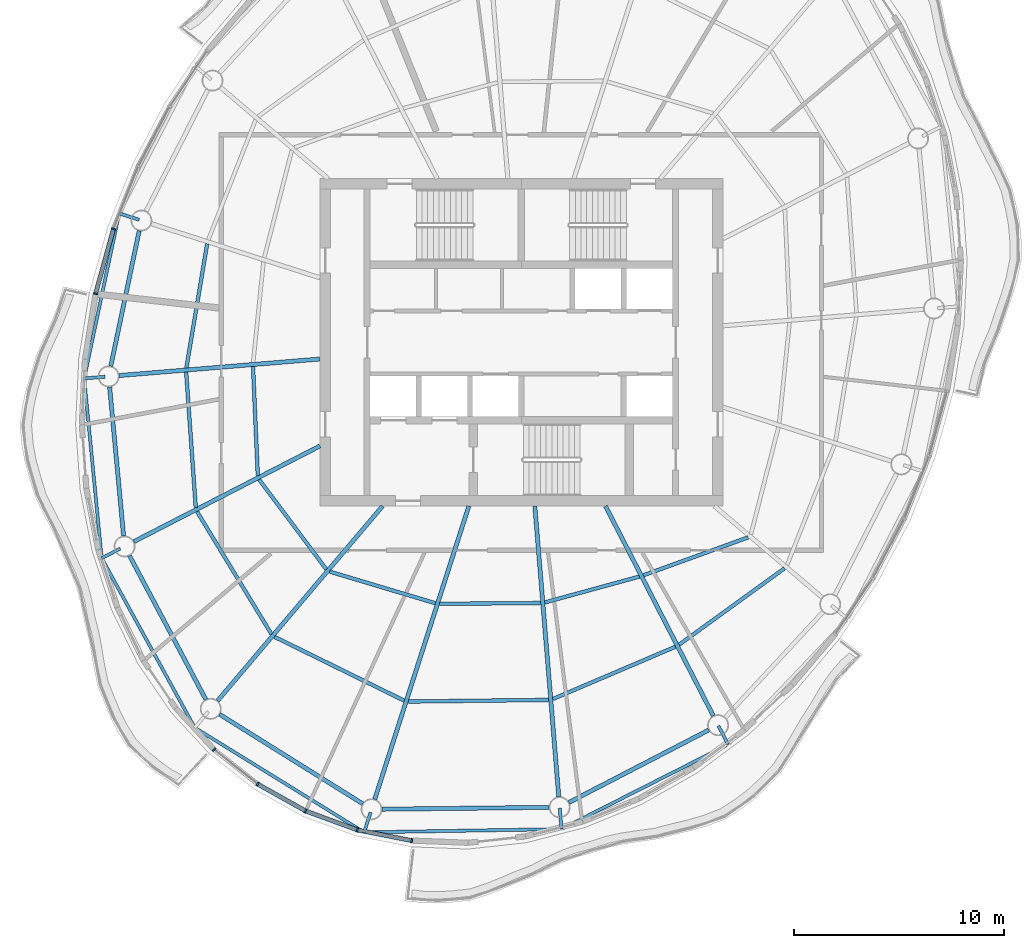
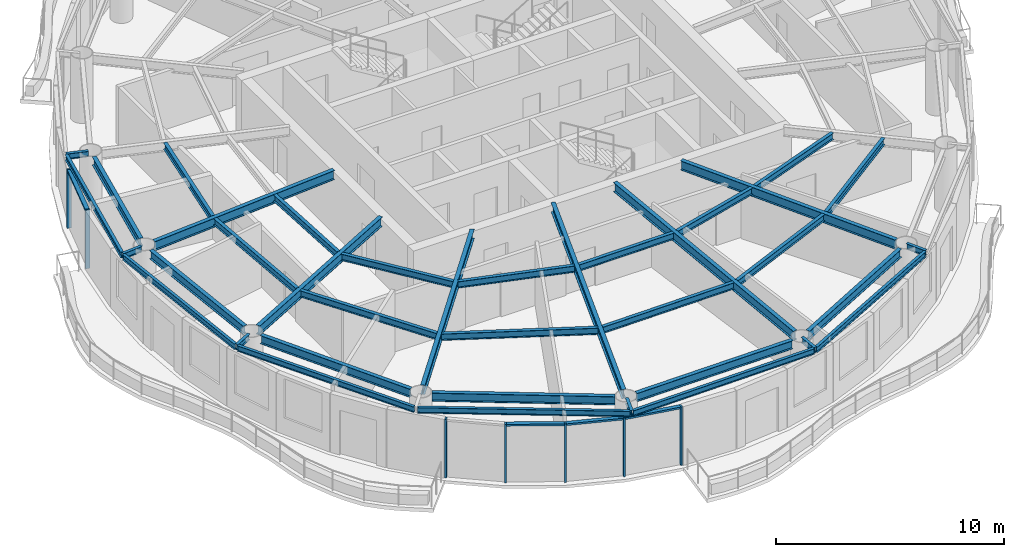
# One storey, part 2 of 13: 37 beams, 11 members, 5 elements without a shape of their own.
"""IFC4 building model written with IfcOpenShell, lengths in metres."""

from ifc_helpers import new_model, si_unit, direction, frame, origin, origin_2d, place, context, subcontext, project, spatial, rectangle, i_section, extrude, material, material_profile, profile_set, type_object, element, aggregate, save


model = new_model("IFC4")

# Units and contexts
model_context = context("Model", 3, precision=1e-05, world=origin(), true_north=direction((0.0, 1.0)))
body_context = subcontext(model_context, "Body", "Model", "MODEL_VIEW")
ifc_project = project(units=[si_unit("LENGTHUNIT", "METRE"), si_unit("AREAUNIT", "SQUARE_METRE"), si_unit("VOLUMEUNIT", "CUBIC_METRE"), si_unit("PLANEANGLEUNIT", "RADIAN"), si_unit("MASSUNIT", "GRAM", prefix="KILO")], contexts=[model_context])

# Site, building, storey
site_placement = place(None, origin())
site = spatial("IfcSite", under=ifc_project, at=site_placement, CompositionType="ELEMENT")
building_placement = place(site_placement, origin())
building = spatial("IfcBuilding", under=site, at=building_placement, Name="Vermilion Reach Broadcast Tower", CompositionType="ELEMENT")
storey_placement = place(building_placement, frame((0.0, 0.0, 293.699951171875)))
storey = spatial("IfcBuildingStorey", under=building, at=storey_placement, Name="L73", CompositionType="ELEMENT", Elevation=293.699951171875)

# Beams
ifc_material_1 = material(Name="Steel S355J2", Category="steel")
ifc_material_profile_1 = material_profile(ifc_material_1, i_section(OverallWidth=0.14990234375, OverallDepth=0.300048828125, WebThickness=0.006591796875, FlangeThickness=0.009033203125, at=origin_2d()), Name="S355J2 HN 300x150x6.5x9")
ifc_profile_set_1 = profile_set([ifc_material_profile_1], Name="Steel S355J2")
beam_type_1 = type_object("IfcBeamType", Name="EB5 HN 300x150x6.5x9", PredefinedType="BEAM", material=ifc_profile_set_1)
beam_1_placement = place(storey_placement, frame((-25.1806640625, 6.07568359375, 3.300048828125), z_axis=(-0.207283374219, -0.97828094266, 0.0), x_axis=(0.97828094266, -0.207283374219, 0.0)))
element("IfcBeam", 1, at=beam_1_placement, inside=storey, type_object=beam_type_1, Name="Edge beam EB5-05", PredefinedType="BEAM", context=body_context, shape_type="SweptSolid", body=[
    extrude(i_section(OverallWidth=0.14990234375, OverallDepth=0.300048828125, WebThickness=0.006591796875, FlangeThickness=0.009033203125, at=origin_2d()), origin(), (0.0, 0.0, 1.0), 7.88671875),
])
beam_2_placement = place(storey_placement, frame((-26.82421875, -1.791015625, 3.300048828125), z_axis=(0.096963145497, -0.995287972607, 0.0), x_axis=(0.995287972607, 0.096963145497, 0.0)))
element("IfcBeam", 2, at=beam_2_placement, inside=storey, type_object=beam_type_1, Name="Edge beam EB5-06", PredefinedType="BEAM", context=body_context, shape_type="SweptSolid", body=[
    extrude(i_section(OverallWidth=0.14990234375, OverallDepth=0.300048828125, WebThickness=0.006591796875, FlangeThickness=0.009033203125, at=origin_2d()), origin(), (0.0, 0.0, 1.0), 8.449951171875),
])
beam_3_placement = place(storey_placement, frame((-25.9609375, -10.34716796875, 3.300048828125), z_axis=(0.481307136506, -0.87655201805, 0.0), x_axis=(0.87655201805, 0.481307136506, 0.0)))
element("IfcBeam", 3, at=beam_3_placement, inside=storey, type_object=beam_type_1, Name="Edge beam EB5-07", PredefinedType="BEAM", context=body_context, shape_type="SweptSolid", body=[
    extrude(i_section(OverallWidth=0.14990234375, OverallDepth=0.300048828125, WebThickness=0.006591796875, FlangeThickness=0.009033203125, at=origin_2d()), origin(), (0.0, 0.0, 1.0), 9.057861328125),
])
beam_4_placement = place(storey_placement, frame((-21.498046875, -18.397216796875, 3.300048828125), z_axis=(0.850697910061, -0.525654892318, 0.0), x_axis=(0.525654892318, 0.850697910061, 0.0)))
element("IfcBeam", 4, at=beam_4_placement, inside=storey, type_object=beam_type_1, Name="Edge beam EB5-08", PredefinedType="BEAM", context=body_context, shape_type="SweptSolid", body=[
    extrude(i_section(OverallWidth=0.14990234375, OverallDepth=0.300048828125, WebThickness=0.006591796875, FlangeThickness=0.009033203125, at=origin_2d()), origin(), (0.0, 0.0, 1.0), 9.33544921875),
])
beam_5_placement = place(storey_placement, frame((-13.41162109375, -23.34375, 3.300048828125), z_axis=(0.999865186083, 0.016419794745, 0.0), x_axis=(-0.016419794745, 0.999865186083, 0.0)))
element("IfcBeam", 5, at=beam_5_placement, inside=storey, type_object=beam_type_1, Name="Edge beam EB5-09", PredefinedType="BEAM", context=body_context, shape_type="SweptSolid", body=[
    extrude(i_section(OverallWidth=0.14990234375, OverallDepth=0.300048828125, WebThickness=0.006591796875, FlangeThickness=0.009033203125, at=origin_2d()), origin(), (0.0, 0.0, 1.0), 9.248291015625),
])
beam_6_placement = place(storey_placement, frame((-4.01708984375, -23.154052734375, 3.300048828125), z_axis=(0.891743525045, 0.452541142373, 0.0), x_axis=(-0.452541142373, 0.891743525045, 0.0)))
element("IfcBeam", 6, at=beam_6_placement, inside=storey, type_object=beam_type_1, Name="Edge beam EB5-10", PredefinedType="BEAM", context=body_context, shape_type="SweptSolid", body=[
    extrude(i_section(OverallWidth=0.14990234375, OverallDepth=0.300048828125, WebThickness=0.006591796875, FlangeThickness=0.009033203125, at=origin_2d()), origin(), (0.0, 0.0, 1.0), 8.748779296875),
])
ifc_material_2 = material(Name="Steel S355J2", Category="steel")
ifc_material_profile_2 = material_profile(ifc_material_2, i_section(OverallWidth=0.199951171875, OverallDepth=0.5, WebThickness=0.010009765625, FlangeThickness=0.01611328125, at=origin_2d()), Name="S355J2 HN 500x200x10x16")
ifc_profile_set_2 = profile_set([ifc_material_profile_2], Name="Steel S355J2")
beam_type_2 = type_object("IfcBeamType", Name="G5 HN 500x200x10x16", PredefinedType="BEAM", material=ifc_profile_set_2)
beam_7_placement = place(storey_placement, frame((-15.60009765625, -0.791015625, 3.199951171875), z_axis=(-0.996624410075, -0.082096195058, 0.0), x_axis=(0.082096195058, -0.996624410075, 0.0)))
element("IfcBeam", 7, at=beam_7_placement, inside=storey, type_object=beam_type_2, Name="Girder G5-06", PredefinedType="BEAM", context=body_context, shape_type="SweptSolid", body=[
    extrude(i_section(OverallWidth=0.199951171875, OverallDepth=0.5, WebThickness=0.010009765625, FlangeThickness=0.01611328125, at=origin_2d()), origin(), (0.0, 0.0, 1.0), 9.599609375),
])
beam_8_placement = place(storey_placement, frame((-15.60009765625, -4.935791015625, 3.199951171875), z_axis=(-0.889332502449, -0.457261085254, 0.0), x_axis=(0.457261085254, -0.889332502449, 0.0)))
element("IfcBeam", 8, at=beam_8_placement, inside=storey, type_object=beam_type_2, Name="Girder G5-07", PredefinedType="BEAM", context=body_context, shape_type="SweptSolid", body=[
    extrude(i_section(OverallWidth=0.199951171875, OverallDepth=0.5, WebThickness=0.010009765625, FlangeThickness=0.01611328125, at=origin_2d()), origin(), (0.0, 0.0, 1.0), 9.96337890625),
])
beam_9_placement = place(storey_placement, frame((-12.612548828125, -7.800048828125, 3.199951171875), z_axis=(-0.646658335602, -0.762779782766, 0.0), x_axis=(0.762779782766, -0.646658335602, 0.0)))
element("IfcBeam", 9, at=beam_9_placement, inside=storey, type_object=beam_type_2, Name="Girder G5-08", PredefinedType="BEAM", context=body_context, shape_type="SweptSolid", body=[
    extrude(i_section(OverallWidth=0.199951171875, OverallDepth=0.5, WebThickness=0.010009765625, FlangeThickness=0.01611328125, at=origin_2d()), origin(), (0.0, 0.0, 1.0), 12.16064453125),
])
beam_10_placement = place(storey_placement, frame((-8.502685546875, -7.800048828125, 3.199951171875), z_axis=(-0.305545401295, -0.952177508528, 0.0), x_axis=(0.952177508528, -0.305545401295, 0.0)))
element("IfcBeam", 10, at=beam_10_placement, inside=storey, type_object=beam_type_2, Name="Girder G5-09", PredefinedType="BEAM", context=body_context, shape_type="SweptSolid", body=[
    extrude(i_section(OverallWidth=0.199951171875, OverallDepth=0.5, WebThickness=0.010009765625, FlangeThickness=0.01611328125, at=origin_2d()), origin(), (0.0, 0.0, 1.0), 14.672607421875),
])
beam_11_placement = place(storey_placement, frame((-5.357421875, -7.800048828125, 3.199951171875), z_axis=(0.082123744247, -0.996622140347, 0.0), x_axis=(0.996622140347, 0.082123744247, 0.0)))
element("IfcBeam", 11, at=beam_11_placement, inside=storey, type_object=beam_type_2, Name="Girder G5-10", PredefinedType="BEAM", context=body_context, shape_type="SweptSolid", body=[
    extrude(i_section(OverallWidth=0.199951171875, OverallDepth=0.5, WebThickness=0.010009765625, FlangeThickness=0.01611328125, at=origin_2d()), origin(), (0.0, 0.0, 1.0), 13.89794921875),
])
beam_12_placement = place(storey_placement, frame((-1.989501953125, -7.800048828125, 3.199951171875), z_axis=(0.457258168112, -0.889334002327, 0.0), x_axis=(0.889334002327, 0.457258168112, 0.0)))
element("IfcBeam", 12, at=beam_12_placement, inside=storey, type_object=beam_type_2, Name="Girder G5-11", PredefinedType="BEAM", context=body_context, shape_type="SweptSolid", body=[
    extrude(i_section(OverallWidth=0.199951171875, OverallDepth=0.5, WebThickness=0.010009765625, FlangeThickness=0.01611328125, at=origin_2d()), origin(), (0.0, 0.0, 1.0), 11.236328125),
])
ifc_material_3 = material(Name="Steel S355J2", Category="steel")
ifc_material_profile_3 = material_profile(ifc_material_3, i_section(OverallWidth=0.14990234375, OverallDepth=0.300048828125, WebThickness=0.006591796875, FlangeThickness=0.009033203125, at=origin_2d()), Name="S355J2 HN 300x150x6.5x9")
ifc_profile_set_3 = profile_set([ifc_material_profile_3], Name="Steel S355J2")
beam_type_3 = type_object("IfcBeamType", Name="GS5 HN 300x150x6.5x9", PredefinedType="BEAM", material=ifc_profile_set_3)
for number, where, z_axis, x_axis, name in (
    (13, (-24.212890625, 5.843994140625, 3.300048828125), (-0.952211297084, 0.305440085295, 0.0), (-0.305440085295, -0.952211297084, 0.0), "Cantilever stub GS5-05"),
    (14, (-25.8349609375, -1.63427734375, 3.300048828125), (-0.996629436565, -0.082035152054, 0.0), (0.082035152054, -0.996629436565, 0.0), "Cantilever stub GS5-06"),
    (15, (-25.107666015625, -9.82421875, 3.300048828125), (-0.889341695572, -0.457243204998, 0.0), (0.457243204998, -0.889341695572, 0.0), "Cantilever stub GS5-07"),
    (16, (-13.185302734375, -22.392822265625, 3.300048828125), (-0.305440085295, -0.952211297084, 0.0), (0.952211297084, -0.305440085295, 0.0), "Cantilever stub GS5-09"),
    (17, (-4.17138671875, -22.194091796875, 3.300048828125), (0.082035152054, -0.996629436565, 0.0), (0.996629436565, 0.082035152054, 0.0), "Cantilever stub GS5-10"),
    (18, (3.394287109375, -18.271484375, 3.300048828125), (0.457243204998, -0.889341695572, 0.0), (0.889341695572, 0.457243204998, 0.0), "Cantilever stub GS5-11"),
):
    element("IfcBeam", number, at=place(storey_placement, frame(where, z_axis=z_axis, x_axis=x_axis)), inside=storey, type_object=beam_type_3, Name=name, PredefinedType="BEAM", context=body_context, shape_type="SweptSolid", body=[
        extrude(i_section(OverallWidth=0.14990234375, OverallDepth=0.300048828125, WebThickness=0.006591796875, FlangeThickness=0.009033203125, at=origin_2d()), origin(), (0.0, 0.0, 1.0), 1.0),
    ])
ifc_material_4 = material(Name="Steel S355J2", Category="steel")
ifc_material_profile_4 = material_profile(ifc_material_4, i_section(OverallWidth=0.199951171875, OverallDepth=0.449951171875, WebThickness=0.009033203125, FlangeThickness=0.013916015625, at=origin_2d()), Name="S355J2 HN 450x200x9x14")
ifc_profile_set_4 = profile_set([ifc_material_profile_4], Name="Steel S355J2")
beam_type_4 = type_object("IfcBeamType", Name="RB5 HN 450x200x9x14", PredefinedType="BEAM", material=ifc_profile_set_4)
beam_13_placement = place(storey_placement, frame((-24.208740234375, 5.3203125, 3.22509765625), z_axis=(-0.205444869285, -0.978668690459, 0.0), x_axis=(0.978668690459, -0.205444869285, 0.0)))
element("IfcBeam", 19, at=beam_13_placement, inside=storey, type_object=beam_type_4, Name="Ring beam RB5-05", PredefinedType="BEAM", context=body_context, shape_type="SweptSolid", body=[
    extrude(i_section(OverallWidth=0.199951171875, OverallDepth=0.449951171875, WebThickness=0.009033203125, FlangeThickness=0.013916015625, at=origin_2d()), origin(), (0.0, 0.0, 1.0), 6.591796875),
])
beam_14_placement = place(storey_placement, frame((-25.618896484375, -2.1181640625, 3.22509765625), z_axis=(0.093441399272, -0.995624781181, 0.0), x_axis=(0.995624781181, 0.093441399272, 0.0)))
element("IfcBeam", 20, at=beam_14_placement, inside=storey, type_object=beam_type_4, Name="Ring beam RB5-06", PredefinedType="BEAM", context=body_context, shape_type="SweptSolid", body=[
    extrude(i_section(OverallWidth=0.199951171875, OverallDepth=0.449951171875, WebThickness=0.009033203125, FlangeThickness=0.013916015625, at=origin_2d()), origin(), (0.0, 0.0, 1.0), 7.135498046875),
])
beam_15_placement = place(storey_placement, frame((-24.671142578125, -10.161865234375, 3.22509765625), z_axis=(0.468767917375, -0.883321368269, 0.0), x_axis=(0.883321368269, 0.468767917375, 0.0)))
element("IfcBeam", 21, at=beam_15_placement, inside=storey, type_object=beam_type_4, Name="Ring beam RB5-07", PredefinedType="BEAM", context=body_context, shape_type="SweptSolid", body=[
    extrude(i_section(OverallWidth=0.199951171875, OverallDepth=0.449951171875, WebThickness=0.009033203125, FlangeThickness=0.013916015625, at=origin_2d()), origin(), (0.0, 0.0, 1.0), 7.759033203125),
])
beam_16_placement = place(storey_placement, frame((-20.375732421875, -17.722412109375, 3.22509765625), z_axis=(0.847914653245, -0.530132757724, 0.0), x_axis=(0.530132757724, 0.847914653245, 0.0)))
element("IfcBeam", 22, at=beam_16_placement, inside=storey, type_object=beam_type_4, Name="Ring beam RB5-08", PredefinedType="BEAM", context=body_context, shape_type="SweptSolid", body=[
    extrude(i_section(OverallWidth=0.199951171875, OverallDepth=0.449951171875, WebThickness=0.009033203125, FlangeThickness=0.013916015625, at=origin_2d()), origin(), (0.0, 0.0, 1.0), 8.035400390625),
])
beam_17_placement = place(storey_placement, frame((-12.638427734375, -22.24169921875, 3.22509765625), z_axis=(0.999940445231, 0.010913569149, 0.0), x_axis=(-0.010913569149, 0.999940445231, 0.0)))
element("IfcBeam", 23, at=beam_17_placement, inside=storey, type_object=beam_type_4, Name="Ring beam RB5-09", PredefinedType="BEAM", context=body_context, shape_type="SweptSolid", body=[
    extrude(i_section(OverallWidth=0.199951171875, OverallDepth=0.449951171875, WebThickness=0.009033203125, FlangeThickness=0.013916015625, at=origin_2d()), origin(), (0.0, 0.0, 1.0), 7.9638671875),
])
beam_18_placement = place(storey_placement, frame((-3.731201171875, -21.91943359375, 3.22509765625), z_axis=(0.887960248279, 0.459920207729, 0.0), x_axis=(-0.459920207729, 0.887960248279, 0.0)))
element("IfcBeam", 24, at=beam_18_placement, inside=storey, type_object=beam_type_4, Name="Ring beam RB5-10", PredefinedType="BEAM", context=body_context, shape_type="SweptSolid", body=[
    extrude(i_section(OverallWidth=0.199951171875, OverallDepth=0.449951171875, WebThickness=0.009033203125, FlangeThickness=0.013916015625, at=origin_2d()), origin(), (0.0, 0.0, 1.0), 7.5048828125),
])
ifc_material_5 = material(Name="Steel S355J2", Category="steel")
ifc_material_profile_5 = material_profile(ifc_material_5, i_section(OverallWidth=0.175048828125, OverallDepth=0.35009765625, WebThickness=0.007080078125, FlangeThickness=0.010986328125, at=origin_2d()), Name="S355J2 HN 350x175x7x11")
ifc_profile_set_5 = profile_set([ifc_material_profile_5], Name="Steel S355J2")
beam_type_5 = type_object("IfcBeamType", Name="SB5 HN 350x175x7x11", PredefinedType="BEAM", material=ifc_profile_set_5)
beam_19_placement = place(storey_placement, frame((-20.969970703125, 4.698486328125, 3.275146484375), z_axis=(-0.16532337011, -0.986239414795, 0.0), x_axis=(0.986239414795, -0.16532337011, 0.0)))
element("IfcBeam", 25, at=beam_19_placement, inside=storey, type_object=beam_type_5, Name="Secondary beam SB5-05-2", PredefinedType="BEAM", context=body_context, shape_type="SweptSolid", body=[
    extrude(i_section(OverallWidth=0.175048828125, OverallDepth=0.35009765625, WebThickness=0.007080078125, FlangeThickness=0.010986328125, at=origin_2d()), origin(), (0.0, 0.0, 1.0), 5.99560546875),
])
beam_20_placement = place(storey_placement, frame((-18.78466796875, -1.153564453125, 3.275146484375), z_axis=(0.043557530017, -0.999050920413, 0.0), x_axis=(0.999050920413, 0.043557530017, 0.0)))
element("IfcBeam", 26, at=beam_20_placement, inside=storey, type_object=beam_type_5, Name="Secondary beam SB5-06-1", PredefinedType="BEAM", context=body_context, shape_type="SweptSolid", body=[
    extrude(i_section(OverallWidth=0.175048828125, OverallDepth=0.35009765625, WebThickness=0.007080078125, FlangeThickness=0.010986328125, at=origin_2d()), origin(), (0.0, 0.0, 1.0), 5.19580078125),
])
beam_21_placement = place(storey_placement, frame((-21.97119140625, -1.416259765625, 3.275146484375), z_axis=(0.070586780458, -0.997505642302, 0.0), x_axis=(0.997505642302, 0.070586780458, 0.0)))
element("IfcBeam", 27, at=beam_21_placement, inside=storey, type_object=beam_type_5, Name="Secondary beam SB5-06-2", PredefinedType="BEAM", context=body_context, shape_type="SweptSolid", body=[
    extrude(i_section(OverallWidth=0.175048828125, OverallDepth=0.35009765625, WebThickness=0.007080078125, FlangeThickness=0.010986328125, at=origin_2d()), origin(), (0.0, 0.0, 1.0), 6.46435546875),
])
beam_22_placement = place(storey_placement, frame((-18.492919921875, -6.53564453125, 3.275146484375), z_axis=(0.599055582645, -0.800707442767, 0.0), x_axis=(0.800707442767, 0.599055582645, 0.0)))
element("IfcBeam", 28, at=beam_22_placement, inside=storey, type_object=beam_type_5, Name="Secondary beam SB5-07-1", PredefinedType="BEAM", context=body_context, shape_type="SweptSolid", body=[
    extrude(i_section(OverallWidth=0.175048828125, OverallDepth=0.35009765625, WebThickness=0.007080078125, FlangeThickness=0.010986328125, at=origin_2d()), origin(), (0.0, 0.0, 1.0), 5.337890625),
])
beam_23_placement = place(storey_placement, frame((-21.455078125, -8.058837890625, 3.275146484375), z_axis=(0.519272962556, -0.854608442714, 0.0), x_axis=(0.854608442714, 0.519272962556, 0.0)))
element("IfcBeam", 29, at=beam_23_placement, inside=storey, type_object=beam_type_5, Name="Secondary beam SB5-07-2", PredefinedType="BEAM", context=body_context, shape_type="SweptSolid", body=[
    extrude(i_section(OverallWidth=0.175048828125, OverallDepth=0.35009765625, WebThickness=0.007080078125, FlangeThickness=0.010986328125, at=origin_2d()), origin(), (0.0, 0.0, 1.0), 6.82763671875),
])
beam_24_placement = place(storey_placement, frame((-15.129150390625, -10.92333984375, 3.275146484375), z_axis=(0.958124906971, -0.286350593925, 0.0), x_axis=(0.286350593925, 0.958124906971, 0.0)))
element("IfcBeam", 30, at=beam_24_placement, inside=storey, type_object=beam_type_5, Name="Secondary beam SB5-08-1", PredefinedType="BEAM", context=body_context, shape_type="SweptSolid", body=[
    extrude(i_section(OverallWidth=0.175048828125, OverallDepth=0.35009765625, WebThickness=0.007080078125, FlangeThickness=0.010986328125, at=origin_2d()), origin(), (0.0, 0.0, 1.0), 5.25634765625),
])
beam_25_placement = place(storey_placement, frame((-17.762451171875, -14.029541015625, 3.275146484375), z_axis=(0.897335928087, -0.441348198325, 0.0), x_axis=(0.441348198325, 0.897335928087, 0.0)))
element("IfcBeam", 31, at=beam_25_placement, inside=storey, type_object=beam_type_5, Name="Secondary beam SB5-08-2", PredefinedType="BEAM", context=body_context, shape_type="SweptSolid", body=[
    extrude(i_section(OverallWidth=0.175048828125, OverallDepth=0.35009765625, WebThickness=0.007080078125, FlangeThickness=0.010986328125, at=origin_2d()), origin(), (0.0, 0.0, 1.0), 6.887451171875),
])
beam_26_placement = place(storey_placement, frame((-9.891845703125, -12.4560546875, 3.275146484375), z_axis=(0.999968312294, 0.007960804474, 0.0), x_axis=(-0.007960804474, 0.999968312294, 0.0)))
element("IfcBeam", 32, at=beam_26_placement, inside=storey, type_object=beam_type_5, Name="Secondary beam SB5-09-1", PredefinedType="BEAM", context=body_context, shape_type="SweptSolid", body=[
    extrude(i_section(OverallWidth=0.175048828125, OverallDepth=0.35009765625, WebThickness=0.007080078125, FlangeThickness=0.010986328125, at=origin_2d()), origin(), (0.0, 0.0, 1.0), 4.81494140625),
])
beam_27_placement = place(storey_placement, frame((-11.385986328125, -17.11279296875, 3.275146484375), z_axis=(0.999932654133, 0.011605481368, 0.0), x_axis=(-0.011605481368, 0.999932654133, 0.0)))
element("IfcBeam", 33, at=beam_27_placement, inside=storey, type_object=beam_type_5, Name="Secondary beam SB5-09-2", PredefinedType="BEAM", context=body_context, shape_type="SweptSolid", body=[
    extrude(i_section(OverallWidth=0.175048828125, OverallDepth=0.35009765625, WebThickness=0.007080078125, FlangeThickness=0.010986328125, at=origin_2d()), origin(), (0.0, 0.0, 1.0), 6.689697265625),
])
beam_28_placement = place(storey_placement, frame((-4.87890625, -12.39013671875, 3.275146484375), z_axis=(0.964547496851, 0.263909314573, 0.0), x_axis=(-0.263909314573, 0.964547496851, 0.0)))
element("IfcBeam", 34, at=beam_28_placement, inside=storey, type_object=beam_type_5, Name="Secondary beam SB5-10-1", PredefinedType="BEAM", context=body_context, shape_type="SweptSolid", body=[
    extrude(i_section(OverallWidth=0.175048828125, OverallDepth=0.35009765625, WebThickness=0.007080078125, FlangeThickness=0.010986328125, at=origin_2d()), origin(), (0.0, 0.0, 1.0), 4.6689453125),
])
beam_29_placement = place(storey_placement, frame((-4.49951171875, -16.99267578125, 3.275146484375), z_axis=(0.919880986172, 0.392197617637, 0.0), x_axis=(-0.392197617637, 0.919880986172, 0.0)))
element("IfcBeam", 35, at=beam_29_placement, inside=storey, type_object=beam_type_5, Name="Secondary beam SB5-10-2", PredefinedType="BEAM", context=body_context, shape_type="SweptSolid", body=[
    extrude(i_section(OverallWidth=0.175048828125, OverallDepth=0.35009765625, WebThickness=0.007080078125, FlangeThickness=0.010986328125, at=origin_2d()), origin(), (0.0, 0.0, 1.0), 6.351806640625),
])
beam_30_placement = place(storey_placement, frame((-0.18212890625, -11.0966796875, 3.275146484375), z_axis=(0.940220108875, 0.340567389613, 0.0), x_axis=(-0.340567389613, 0.940220108875, 0.0)))
element("IfcBeam", 36, at=beam_30_placement, inside=storey, type_object=beam_type_5, Name="Secondary beam SB5-11-1", PredefinedType="BEAM", context=body_context, shape_type="SweptSolid", body=[
    extrude(i_section(OverallWidth=0.175048828125, OverallDepth=0.35009765625, WebThickness=0.007080078125, FlangeThickness=0.010986328125, at=origin_2d()), origin(), (0.0, 0.0, 1.0), 5.303466796875),
])
beam_31_placement = place(storey_placement, frame((1.517578125, -14.402587890625, 3.275146484375), z_axis=(0.809771251518, 0.586745703192, 0.0), x_axis=(-0.586745703192, 0.809771251518, 0.0)))
element("IfcBeam", 37, at=beam_31_placement, inside=storey, type_object=beam_type_5, Name="Secondary beam SB5-11-2", PredefinedType="BEAM", context=body_context, shape_type="SweptSolid", body=[
    extrude(i_section(OverallWidth=0.175048828125, OverallDepth=0.35009765625, WebThickness=0.007080078125, FlangeThickness=0.010986328125, at=origin_2d()), origin(), (0.0, 0.0, 1.0), 6.20361328125),
])

# Curtain wall, members
ifc_material_6 = material(Name="Low-e laminated clear glass in aluminium frame", Category="aluminium")
curtain_wall_type = type_object("IfcCurtainWallType", Name="Slot curtain wall", PredefinedType="NOTDEFINED", material=ifc_material_6)
placement = place(storey_placement, origin())
curtain_wall_1 = element("IfcCurtainWall", 38, at=placement, inside=storey, type_object=curtain_wall_type, Name="Slot curtain wall L73 13", PredefinedType="NOTDEFINED")
ifc_material_7 = material(Name="Anodised aluminium", Category="aluminium")
ifc_material_profile_6 = material_profile(ifc_material_7, rectangle(XDim=0.199951171875, YDim=0.080078125, at=origin_2d()), Name="Slot mullion 80 x 200")
ifc_profile_set_6 = profile_set([ifc_material_profile_6], Name="Anodised aluminium")
member_type_1 = type_object("IfcMemberType", Name="Slot mullion 80 x 200", PredefinedType="MULLION", material=ifc_profile_set_6)
member_1_placement = place(storey_placement, frame((-25.43408203125, 5.4072265625, 0.0), z_axis=(0.0, 0.0, 1.0), x_axis=(0.948023765699, -0.318199528079, 0.0)))
member_1 = element("IfcMember", 39, at=member_1_placement, type_object=member_type_1, Name="Slot mullion L73 13", PredefinedType="MULLION", context=body_context, shape_type="SweptSolid", body=[
    extrude(rectangle(XDim=0.199951171875, YDim=0.080078125, at=origin_2d()), origin(), (0.0, 0.0, 1.0), 3.150146484375),
])
member_2_placement = place(storey_placement, frame((-26.28759765625, 2.32177734375, 0.0), z_axis=(0.0, 0.0, 1.0), x_axis=(0.976974808979, -0.213354687367, 0.0)))
member_2 = element("IfcMember", 40, at=member_2_placement, type_object=member_type_1, Name="Slot mullion L73 14", PredefinedType="MULLION", context=body_context, shape_type="SweptSolid", body=[
    extrude(rectangle(XDim=0.199951171875, YDim=0.080078125, at=origin_2d()), origin(), (0.0, 0.0, 1.0), 3.150146484375),
])

# Curtain wall, member
curtain_wall_2 = element("IfcCurtainWall", 41, at=placement, inside=storey, type_object=curtain_wall_type, Name="Slot curtain wall L73 22", PredefinedType="NOTDEFINED")
member_3_placement = place(storey_placement, frame((-20.638671875, -19.402587890625, 0.0), z_axis=(0.0, 0.0, 1.0), x_axis=(0.679358210005, 0.733806801889, 0.0)))
member_3 = element("IfcMember", 42, at=member_3_placement, type_object=member_type_1, Name="Slot mullion L73 22", PredefinedType="MULLION", context=body_context, shape_type="SweptSolid", body=[
    extrude(rectangle(XDim=0.199951171875, YDim=0.080078125, at=origin_2d()), origin(), (0.0, 0.0, 1.0), 3.150146484375),
])
aggregate(curtain_wall_2, [member_3])

curtain_wall_3 = element("IfcCurtainWall", 43, at=placement, inside=storey, type_object=curtain_wall_type, Name="Slot curtain wall L73 23", PredefinedType="NOTDEFINED")
member_4_placement = place(storey_placement, frame((-18.565185546875, -21.0439453125, 0.0), z_axis=(0.0, 0.0, 1.0), x_axis=(0.556714945931, 0.83070359875, 0.0)))
member_4 = element("IfcMember", 44, at=member_4_placement, type_object=member_type_1, Name="Slot mullion L73 23", PredefinedType="MULLION", context=body_context, shape_type="SweptSolid", body=[
    extrude(rectangle(XDim=0.199951171875, YDim=0.080078125, at=origin_2d()), origin(), (0.0, 0.0, 1.0), 3.150146484375),
])

curtain_wall_4 = element("IfcCurtainWall", 45, at=placement, inside=storey, type_object=curtain_wall_type, Name="Slot curtain wall L73 24", PredefinedType="NOTDEFINED")
member_5_placement = place(storey_placement, frame((-16.278564453125, -22.326904296875, 0.0), z_axis=(0.0, 0.0, 1.0), x_axis=(0.4181841801, 0.908362257865, 0.0)))
member_5 = element("IfcMember", 46, at=member_5_placement, type_object=member_type_1, Name="Slot mullion L73 24", PredefinedType="MULLION", context=body_context, shape_type="SweptSolid", body=[
    extrude(rectangle(XDim=0.199951171875, YDim=0.080078125, at=origin_2d()), origin(), (0.0, 0.0, 1.0), 3.150146484375),
])

# Curtain wall, members
curtain_wall_5 = element("IfcCurtainWall", 47, at=placement, inside=storey, type_object=curtain_wall_type, Name="Slot curtain wall L73 25", PredefinedType="NOTDEFINED")
member_6_placement = place(storey_placement, frame((-13.817138671875, -23.229736328125, 0.0), z_axis=(0.0, 0.0, 1.0), x_axis=(0.269106194927, 0.963110510716, 0.0)))
member_6 = element("IfcMember", 48, at=member_6_placement, type_object=member_type_1, Name="Slot mullion L73 25", PredefinedType="MULLION", context=body_context, shape_type="SweptSolid", body=[
    extrude(rectangle(XDim=0.199951171875, YDim=0.080078125, at=origin_2d()), origin(), (0.0, 0.0, 1.0), 3.150146484375),
])
member_7_placement = place(storey_placement, frame((-11.221923828125, -23.73779296875, 0.0), z_axis=(0.0, 0.0, 1.0), x_axis=(0.115743146595, 0.993279177279, 0.0)))
member_7 = element("IfcMember", 49, at=member_7_placement, type_object=member_type_1, Name="Slot mullion L73 26", PredefinedType="MULLION", context=body_context, shape_type="SweptSolid", body=[
    extrude(rectangle(XDim=0.199951171875, YDim=0.080078125, at=origin_2d()), origin(), (0.0, 0.0, 1.0), 3.150146484375),
])

# Member
ifc_material_8 = material(Name="Anodised aluminium", Category="aluminium")
ifc_material_profile_7 = material_profile(ifc_material_8, rectangle(XDim=0.199951171875, YDim=0.10009765625, at=origin_2d()), Name="Slot transom 200 x 100")
ifc_profile_set_7 = profile_set([ifc_material_profile_7], Name="Anodised aluminium")
member_type_2 = type_object("IfcMemberType", Name="Slot transom 200 x 100", PredefinedType="USERDEFINED", material=ifc_profile_set_7)
member_8_placement = place(storey_placement, frame((-25.44482421875, 5.368896484375, 3.10009765625), z_axis=(-0.266550499924, -0.963820953803, 0.0), x_axis=(0.963820953803, -0.266550499924, 0.0)))
member_8 = element("IfcMember", 50, at=member_8_placement, type_object=member_type_2, Name="Slot transom L73 13.1", ObjectType="TRANSOM", PredefinedType="USERDEFINED", context=body_context, shape_type="SweptSolid", body=[
    extrude(rectangle(XDim=0.199951171875, YDim=0.10009765625, at=origin_2d()), origin(), (0.0, 0.0, 1.0), 3.12158203125),
])

aggregate(curtain_wall_1, [member_1, member_2, member_8])

member_9_placement = place(storey_placement, frame((-18.5302734375, -21.0634765625, 3.10009765625), z_axis=(0.872129046221, -0.489275920864, 0.0), x_axis=(0.489275920864, 0.872129046221, 0.0)))
member_9 = element("IfcMember", 51, at=member_9_placement, type_object=member_type_2, Name="Slot transom L73 23.1", ObjectType="TRANSOM", PredefinedType="USERDEFINED", context=body_context, shape_type="SweptSolid", body=[
    extrude(rectangle(XDim=0.199951171875, YDim=0.10009765625, at=origin_2d()), origin(), (0.0, 0.0, 1.0), 2.541748046875),
])

aggregate(curtain_wall_3, [member_4, member_9])

member_10_placement = place(storey_placement, frame((-16.240966796875, -22.340576171875, 3.10009765625), z_axis=(0.938807998255, -0.344440912804, 0.0), x_axis=(0.344440912804, 0.938807998255, 0.0)))
member_10 = element("IfcMember", 52, at=member_10_placement, type_object=member_type_2, Name="Slot transom L73 24.1", ObjectType="TRANSOM", PredefinedType="USERDEFINED", context=body_context, shape_type="SweptSolid", body=[
    extrude(rectangle(XDim=0.199951171875, YDim=0.10009765625, at=origin_2d()), origin(), (0.0, 0.0, 1.0), 2.541748046875),
])

aggregate(curtain_wall_4, [member_5, member_10])

member_11_placement = place(storey_placement, frame((-13.778076171875, -23.237548828125, 3.10009765625), z_axis=(0.981374321824, -0.192105284842, 0.0), x_axis=(0.192105284842, 0.981374321824, 0.0)))
member_11 = element("IfcMember", 53, at=member_11_placement, type_object=member_type_2, Name="Slot transom L73 25.1", ObjectType="TRANSOM", PredefinedType="USERDEFINED", context=body_context, shape_type="SweptSolid", body=[
    extrude(rectangle(XDim=0.199951171875, YDim=0.10009765625, at=origin_2d()), origin(), (0.0, 0.0, 1.0), 2.564697265625),
])

aggregate(curtain_wall_5, [member_6, member_7, member_11])

save(model, "model.ifc")
